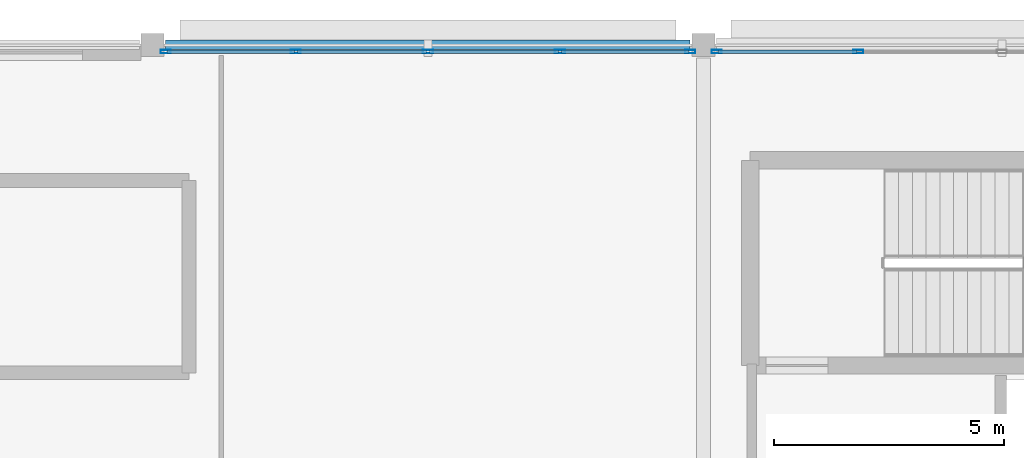
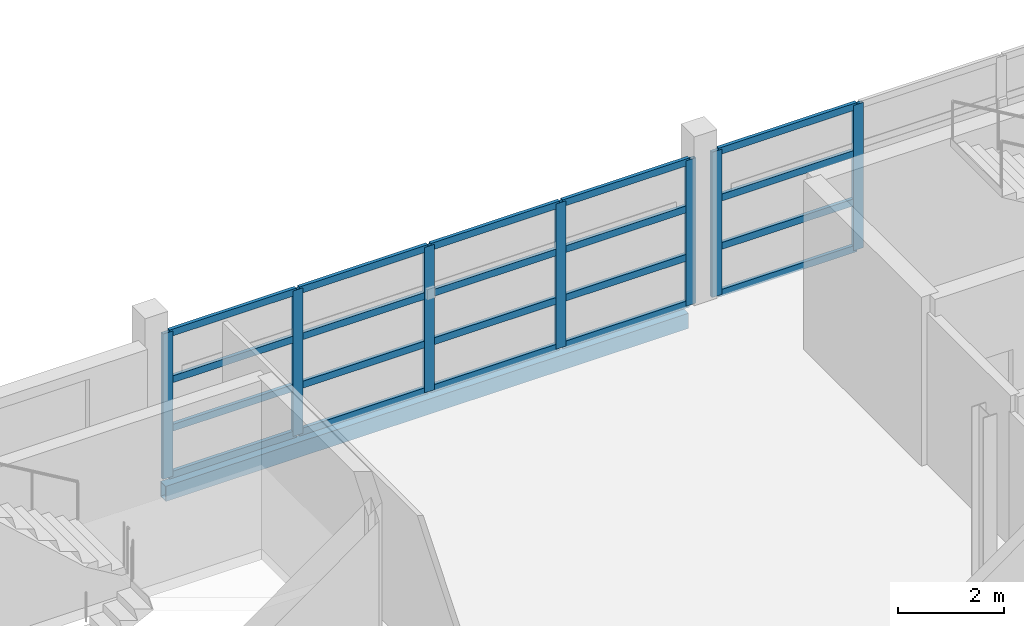
# One storey, part 53 of 110: 27 members, 1 beam, 2 elements without a shape of their own.
"""IFC4 building model written with IfcOpenShell, lengths in metres."""

from ifc_helpers import new_model, si_unit, direction, frame, origin, origin_2d, place, context, subcontext, project, spatial, hollow_rectangle, extrude, material, layer, layer_set, material_profile, profile_set, type_object, element, aggregate, save


model = new_model("IFC4")

# Units and contexts
model_context = context("Model", 3, precision=1e-05, world=origin(), true_north=direction((0.0, 1.0)))
body_context = subcontext(model_context, "Body", "Model", "MODEL_VIEW")
ifc_project = project(units=[si_unit("LENGTHUNIT", "METRE"), si_unit("AREAUNIT", "SQUARE_METRE"), si_unit("VOLUMEUNIT", "CUBIC_METRE"), si_unit("PLANEANGLEUNIT", "RADIAN"), si_unit("MASSUNIT", "GRAM", prefix="KILO")], contexts=[model_context])

# Site, building, storey
site_placement = place(None, origin())
site = spatial("IfcSite", under=ifc_project, at=site_placement, CompositionType="ELEMENT")
building_placement = place(site_placement, origin())
building = spatial("IfcBuilding", under=site, at=building_placement, Name="Tamarisk Ironworks Central Station", CompositionType="ELEMENT")
storey_placement = place(building_placement, frame((0.0, 0.0, 17.39990234375)))
storey = spatial("IfcBuildingStorey", under=building, at=storey_placement, Name="L03", CompositionType="ELEMENT", Elevation=17.39990234375)

# Beam
ifc_material_1 = material(Name="Structural steel S355J2", Category="steel")
ifc_material_profile_1 = material_profile(ifc_material_1, hollow_rectangle(XDim=0.199951171875, YDim=0.35009765625, WallThickness=0.012451171875, at=origin_2d()), Name="RHS 350x200x12.5")
ifc_profile_set_1 = profile_set([ifc_material_profile_1], Name="Structural steel S355J2")
beam_type = type_object("IfcBeamType", Name="BM-SP01", PredefinedType="SPANDREL", material=ifc_profile_set_1)
beam_placement = place(storey_placement, frame((128.2880859375, 122.39990234375, -0.4248046875), z_axis=(1.0, 0.0, 0.0), x_axis=(0.0, 1.0, 0.0)))
element("IfcBeam", 1, at=beam_placement, inside=storey, type_object=beam_type, Name="L03 primary girder X-0663", PredefinedType="SPANDREL", context=body_context, shape_type="SweptSolid", body=[
    extrude(hollow_rectangle(XDim=0.199951171875, YDim=0.35009765625, WallThickness=0.012451171875, at=origin_2d()), origin(), (0.0, 0.0, 1.0), 11.423828125),
])

# Curtain wall, members
ifc_material_2 = material(Name="Anodized aluminium alloy 6063-T6", Category="aluminium")
ifc_layer = layer(ifc_material_2, 0.179931640625)
ifc_layer_set = layer_set([ifc_layer], Name="Anodized aluminium alloy 6063-T6")
curtain_wall_type = type_object("IfcCurtainWallType", Name="CW-18", PredefinedType="USERDEFINED", material=ifc_layer_set)
curtain_wall_1_placement = place(storey_placement, origin())
curtain_wall_1 = element("IfcCurtainWall", 2, at=curtain_wall_1_placement, inside=storey, type_object=curtain_wall_type, Name="Operations L03 north facade curtain wall 128", ObjectType="GLAZED CURTAIN WALL", PredefinedType="USERDEFINED")
ifc_material_profile_2 = material_profile(ifc_material_2, hollow_rectangle(XDim=0.074951171875, YDim=0.219970703125, WallThickness=0.00390625, at=origin_2d()), Name="ALUM 220x75")
ifc_profile_set_2 = profile_set([ifc_material_profile_2], Name="Anodized aluminium alloy 6063-T6")
member_type_1 = type_object("IfcMemberType", Name="CWM-01", PredefinedType="MULLION", material=ifc_profile_set_2)
member_1_placement = place(storey_placement, frame((128.285400390625, 122.25, 0.0), z_axis=(0.0, 0.0, 1.0), x_axis=(0.0, 1.0, 0.0)))
member_1 = element("IfcMember", 3, at=member_1_placement, type_object=member_type_1, Name="CW18 mullion 1", PredefinedType="MULLION", context=body_context, shape_type="SweptSolid", body=[
    extrude(hollow_rectangle(XDim=0.074951171875, YDim=0.219970703125, WallThickness=0.00390625, at=origin_2d()), origin(), (0.0, 0.0, 1.0), 3.360107421875),
])
member_2_placement = place(storey_placement, frame((131.1240234375, 122.25, 0.0), z_axis=(0.0, 0.0, 1.0), x_axis=(0.0, 1.0, 0.0)))
member_2 = element("IfcMember", 4, at=member_2_placement, type_object=member_type_1, Name="CW18 mullion 2", PredefinedType="MULLION", context=body_context, shape_type="SweptSolid", body=[
    extrude(hollow_rectangle(XDim=0.074951171875, YDim=0.219970703125, WallThickness=0.00390625, at=origin_2d()), origin(), (0.0, 0.0, 1.0), 3.360107421875),
])
member_3_placement = place(storey_placement, frame((134.0, 122.25, 0.0), z_axis=(0.0, 0.0, 1.0), x_axis=(0.0, 1.0, 0.0)))
member_3 = element("IfcMember", 5, at=member_3_placement, type_object=member_type_1, Name="CW18 mullion 3", PredefinedType="MULLION", context=body_context, shape_type="SweptSolid", body=[
    extrude(hollow_rectangle(XDim=0.074951171875, YDim=0.219970703125, WallThickness=0.00390625, at=origin_2d()), origin(), (0.0, 0.0, 1.0), 3.360107421875),
])
member_4_placement = place(storey_placement, frame((136.8759765625, 122.25, 0.0), z_axis=(0.0, 0.0, 1.0), x_axis=(0.0, 1.0, 0.0)))
member_4 = element("IfcMember", 6, at=member_4_placement, type_object=member_type_1, Name="CW18 mullion 4", PredefinedType="MULLION", context=body_context, shape_type="SweptSolid", body=[
    extrude(hollow_rectangle(XDim=0.074951171875, YDim=0.219970703125, WallThickness=0.00390625, at=origin_2d()), origin(), (0.0, 0.0, 1.0), 3.360107421875),
])
member_5_placement = place(storey_placement, frame((139.714599609375, 122.25, 0.0), z_axis=(0.0, 0.0, 1.0), x_axis=(0.0, 1.0, 0.0)))
member_5 = element("IfcMember", 7, at=member_5_placement, type_object=member_type_1, Name="CW18 mullion 5", PredefinedType="MULLION", context=body_context, shape_type="SweptSolid", body=[
    extrude(hollow_rectangle(XDim=0.074951171875, YDim=0.219970703125, WallThickness=0.00390625, at=origin_2d()), origin(), (0.0, 0.0, 1.0), 3.360107421875),
])

curtain_wall_2_placement = place(storey_placement, origin())
curtain_wall_2 = element("IfcCurtainWall", 8, at=curtain_wall_2_placement, inside=storey, type_object=curtain_wall_type, Name="Operations L03 north facade curtain wall 140", ObjectType="GLAZED CURTAIN WALL", PredefinedType="USERDEFINED")
member_6_placement = place(storey_placement, frame((140.285400390625, 122.25, 0.0), z_axis=(0.0, 0.0, 1.0), x_axis=(0.0, 1.0, 0.0)))
member_6 = element("IfcMember", 9, at=member_6_placement, type_object=member_type_1, Name="CW18 mullion 1", PredefinedType="MULLION", context=body_context, shape_type="SweptSolid", body=[
    extrude(hollow_rectangle(XDim=0.074951171875, YDim=0.219970703125, WallThickness=0.00390625, at=origin_2d()), origin(), (0.0, 0.0, 1.0), 3.360107421875),
])
member_7_placement = place(storey_placement, frame((143.3740234375, 122.25, 0.0), z_axis=(0.0, 0.0, 1.0), x_axis=(0.0, 1.0, 0.0)))
member_7 = element("IfcMember", 10, at=member_7_placement, type_object=member_type_1, Name="CW18 mullion 2", PredefinedType="MULLION", context=body_context, shape_type="SweptSolid", body=[
    extrude(hollow_rectangle(XDim=0.074951171875, YDim=0.219970703125, WallThickness=0.00390625, at=origin_2d()), origin(), (0.0, 0.0, 1.0), 3.360107421875),
])

# Member
ifc_material_profile_3 = material_profile(ifc_material_2, hollow_rectangle(XDim=0.074951171875, YDim=0.159912109375, WallThickness=0.00390625, at=origin_2d()), Name="ALUM 160x75")
ifc_profile_set_3 = profile_set([ifc_material_profile_3], Name="Anodized aluminium alloy 6063-T6")
member_type_2 = type_object("IfcMemberType", Name="CWT-01", PredefinedType="USERDEFINED", material=ifc_profile_set_3)
member_8_placement = place(storey_placement, frame((128.319091796875, 122.25, 0.03759765625), z_axis=(1.0, 0.0, 0.0), x_axis=(0.0, 1.0, 0.0)))
member_8 = element("IfcMember", 11, at=member_8_placement, type_object=member_type_2, Name="CW18 transom 1.1", ObjectType="TRANSOM", PredefinedType="USERDEFINED", context=body_context, shape_type="SweptSolid", body=[
    extrude(hollow_rectangle(XDim=0.074951171875, YDim=0.159912109375, WallThickness=0.00390625, at=origin_2d()), origin(), (0.0, 0.0, 1.0), 2.771484375),
])

member_9_placement = place(storey_placement, frame((128.319091796875, 122.25, 1.1201171875), z_axis=(1.0, 0.0, 0.0), x_axis=(0.0, 1.0, 0.0)))
member_9 = element("IfcMember", 12, at=member_9_placement, type_object=member_type_2, Name="CW18 transom 1.2", ObjectType="TRANSOM", PredefinedType="USERDEFINED", context=body_context, shape_type="SweptSolid", body=[
    extrude(hollow_rectangle(XDim=0.074951171875, YDim=0.159912109375, WallThickness=0.00390625, at=origin_2d()), origin(), (0.0, 0.0, 1.0), 2.771484375),
])

member_10_placement = place(storey_placement, frame((128.319091796875, 122.25, 2.239990234375), z_axis=(1.0, 0.0, 0.0), x_axis=(0.0, 1.0, 0.0)))
member_10 = element("IfcMember", 13, at=member_10_placement, type_object=member_type_2, Name="CW18 transom 1.3", ObjectType="TRANSOM", PredefinedType="USERDEFINED", context=body_context, shape_type="SweptSolid", body=[
    extrude(hollow_rectangle(XDim=0.074951171875, YDim=0.159912109375, WallThickness=0.00390625, at=origin_2d()), origin(), (0.0, 0.0, 1.0), 2.771484375),
])

member_11_placement = place(storey_placement, frame((128.319091796875, 122.25, 3.322509765625), z_axis=(1.0, 0.0, 0.0), x_axis=(0.0, 1.0, 0.0)))
member_11 = element("IfcMember", 14, at=member_11_placement, type_object=member_type_2, Name="CW18 transom 1.4", ObjectType="TRANSOM", PredefinedType="USERDEFINED", context=body_context, shape_type="SweptSolid", body=[
    extrude(hollow_rectangle(XDim=0.074951171875, YDim=0.159912109375, WallThickness=0.00390625, at=origin_2d()), origin(), (0.0, 0.0, 1.0), 2.771484375),
])

member_12_placement = place(storey_placement, frame((131.157470703125, 122.25, 0.03759765625), z_axis=(1.0, 0.0, 0.0), x_axis=(0.0, 1.0, 0.0)))
member_12 = element("IfcMember", 15, at=member_12_placement, type_object=member_type_2, Name="CW18 transom 2.1", ObjectType="TRANSOM", PredefinedType="USERDEFINED", context=body_context, shape_type="SweptSolid", body=[
    extrude(hollow_rectangle(XDim=0.074951171875, YDim=0.159912109375, WallThickness=0.00390625, at=origin_2d()), origin(), (0.0, 0.0, 1.0), 2.80908203125),
])

member_13_placement = place(storey_placement, frame((131.157470703125, 122.25, 1.1201171875), z_axis=(1.0, 0.0, 0.0), x_axis=(0.0, 1.0, 0.0)))
member_13 = element("IfcMember", 16, at=member_13_placement, type_object=member_type_2, Name="CW18 transom 2.2", ObjectType="TRANSOM", PredefinedType="USERDEFINED", context=body_context, shape_type="SweptSolid", body=[
    extrude(hollow_rectangle(XDim=0.074951171875, YDim=0.159912109375, WallThickness=0.00390625, at=origin_2d()), origin(), (0.0, 0.0, 1.0), 2.80908203125),
])

member_14_placement = place(storey_placement, frame((131.157470703125, 122.25, 2.239990234375), z_axis=(1.0, 0.0, 0.0), x_axis=(0.0, 1.0, 0.0)))
member_14 = element("IfcMember", 17, at=member_14_placement, type_object=member_type_2, Name="CW18 transom 2.3", ObjectType="TRANSOM", PredefinedType="USERDEFINED", context=body_context, shape_type="SweptSolid", body=[
    extrude(hollow_rectangle(XDim=0.074951171875, YDim=0.159912109375, WallThickness=0.00390625, at=origin_2d()), origin(), (0.0, 0.0, 1.0), 2.80908203125),
])

member_15_placement = place(storey_placement, frame((131.157470703125, 122.25, 3.322509765625), z_axis=(1.0, 0.0, 0.0), x_axis=(0.0, 1.0, 0.0)))
member_15 = element("IfcMember", 18, at=member_15_placement, type_object=member_type_2, Name="CW18 transom 2.4", ObjectType="TRANSOM", PredefinedType="USERDEFINED", context=body_context, shape_type="SweptSolid", body=[
    extrude(hollow_rectangle(XDim=0.074951171875, YDim=0.159912109375, WallThickness=0.00390625, at=origin_2d()), origin(), (0.0, 0.0, 1.0), 2.80908203125),
])

member_16_placement = place(storey_placement, frame((134.033447265625, 122.25, 0.03759765625), z_axis=(1.0, 0.0, 0.0), x_axis=(0.0, 1.0, 0.0)))
member_16 = element("IfcMember", 19, at=member_16_placement, type_object=member_type_2, Name="CW18 transom 3.1", ObjectType="TRANSOM", PredefinedType="USERDEFINED", context=body_context, shape_type="SweptSolid", body=[
    extrude(hollow_rectangle(XDim=0.074951171875, YDim=0.159912109375, WallThickness=0.00390625, at=origin_2d()), origin(), (0.0, 0.0, 1.0), 2.80908203125),
])

member_17_placement = place(storey_placement, frame((134.033447265625, 122.25, 1.1201171875), z_axis=(1.0, 0.0, 0.0), x_axis=(0.0, 1.0, 0.0)))
member_17 = element("IfcMember", 20, at=member_17_placement, type_object=member_type_2, Name="CW18 transom 3.2", ObjectType="TRANSOM", PredefinedType="USERDEFINED", context=body_context, shape_type="SweptSolid", body=[
    extrude(hollow_rectangle(XDim=0.074951171875, YDim=0.159912109375, WallThickness=0.00390625, at=origin_2d()), origin(), (0.0, 0.0, 1.0), 2.80908203125),
])

member_18_placement = place(storey_placement, frame((134.033447265625, 122.25, 2.239990234375), z_axis=(1.0, 0.0, 0.0), x_axis=(0.0, 1.0, 0.0)))
member_18 = element("IfcMember", 21, at=member_18_placement, type_object=member_type_2, Name="CW18 transom 3.3", ObjectType="TRANSOM", PredefinedType="USERDEFINED", context=body_context, shape_type="SweptSolid", body=[
    extrude(hollow_rectangle(XDim=0.074951171875, YDim=0.159912109375, WallThickness=0.00390625, at=origin_2d()), origin(), (0.0, 0.0, 1.0), 2.80908203125),
])

member_19_placement = place(storey_placement, frame((134.033447265625, 122.25, 3.322509765625), z_axis=(1.0, 0.0, 0.0), x_axis=(0.0, 1.0, 0.0)))
member_19 = element("IfcMember", 22, at=member_19_placement, type_object=member_type_2, Name="CW18 transom 3.4", ObjectType="TRANSOM", PredefinedType="USERDEFINED", context=body_context, shape_type="SweptSolid", body=[
    extrude(hollow_rectangle(XDim=0.074951171875, YDim=0.159912109375, WallThickness=0.00390625, at=origin_2d()), origin(), (0.0, 0.0, 1.0), 2.80908203125),
])

member_20_placement = place(storey_placement, frame((136.909423828125, 122.25, 0.03759765625), z_axis=(1.0, 0.0, 0.0), x_axis=(0.0, 1.0, 0.0)))
member_20 = element("IfcMember", 23, at=member_20_placement, type_object=member_type_2, Name="CW18 transom 4.1", ObjectType="TRANSOM", PredefinedType="USERDEFINED", context=body_context, shape_type="SweptSolid", body=[
    extrude(hollow_rectangle(XDim=0.074951171875, YDim=0.159912109375, WallThickness=0.00390625, at=origin_2d()), origin(), (0.0, 0.0, 1.0), 2.771484375),
])

member_21_placement = place(storey_placement, frame((136.909423828125, 122.25, 1.1201171875), z_axis=(1.0, 0.0, 0.0), x_axis=(0.0, 1.0, 0.0)))
member_21 = element("IfcMember", 24, at=member_21_placement, type_object=member_type_2, Name="CW18 transom 4.2", ObjectType="TRANSOM", PredefinedType="USERDEFINED", context=body_context, shape_type="SweptSolid", body=[
    extrude(hollow_rectangle(XDim=0.074951171875, YDim=0.159912109375, WallThickness=0.00390625, at=origin_2d()), origin(), (0.0, 0.0, 1.0), 2.771484375),
])

member_22_placement = place(storey_placement, frame((136.909423828125, 122.25, 2.239990234375), z_axis=(1.0, 0.0, 0.0), x_axis=(0.0, 1.0, 0.0)))
member_22 = element("IfcMember", 25, at=member_22_placement, type_object=member_type_2, Name="CW18 transom 4.3", ObjectType="TRANSOM", PredefinedType="USERDEFINED", context=body_context, shape_type="SweptSolid", body=[
    extrude(hollow_rectangle(XDim=0.074951171875, YDim=0.159912109375, WallThickness=0.00390625, at=origin_2d()), origin(), (0.0, 0.0, 1.0), 2.771484375),
])

member_23_placement = place(storey_placement, frame((136.909423828125, 122.25, 3.322509765625), z_axis=(1.0, 0.0, 0.0), x_axis=(0.0, 1.0, 0.0)))
member_23 = element("IfcMember", 26, at=member_23_placement, type_object=member_type_2, Name="CW18 transom 4.4", ObjectType="TRANSOM", PredefinedType="USERDEFINED", context=body_context, shape_type="SweptSolid", body=[
    extrude(hollow_rectangle(XDim=0.074951171875, YDim=0.159912109375, WallThickness=0.00390625, at=origin_2d()), origin(), (0.0, 0.0, 1.0), 2.771484375),
])

aggregate(curtain_wall_1, [member_1, member_2, member_3, member_4, member_5, member_8, member_9, member_10, member_11, member_12, member_13, member_14, member_15, member_16, member_17, member_18, member_19, member_20, member_21, member_22, member_23])

member_24_placement = place(storey_placement, frame((140.319091796875, 122.25, 0.03759765625), z_axis=(1.0, 0.0, 0.0), x_axis=(0.0, 1.0, 0.0)))
member_24 = element("IfcMember", 27, at=member_24_placement, type_object=member_type_2, Name="CW18 transom 1.1", ObjectType="TRANSOM", PredefinedType="USERDEFINED", context=body_context, shape_type="SweptSolid", body=[
    extrude(hollow_rectangle(XDim=0.074951171875, YDim=0.159912109375, WallThickness=0.00390625, at=origin_2d()), origin(), (0.0, 0.0, 1.0), 3.021484375),
])

member_25_placement = place(storey_placement, frame((140.319091796875, 122.25, 1.1201171875), z_axis=(1.0, 0.0, 0.0), x_axis=(0.0, 1.0, 0.0)))
member_25 = element("IfcMember", 28, at=member_25_placement, type_object=member_type_2, Name="CW18 transom 1.2", ObjectType="TRANSOM", PredefinedType="USERDEFINED", context=body_context, shape_type="SweptSolid", body=[
    extrude(hollow_rectangle(XDim=0.074951171875, YDim=0.159912109375, WallThickness=0.00390625, at=origin_2d()), origin(), (0.0, 0.0, 1.0), 3.021484375),
])

member_26_placement = place(storey_placement, frame((140.319091796875, 122.25, 2.239990234375), z_axis=(1.0, 0.0, 0.0), x_axis=(0.0, 1.0, 0.0)))
member_26 = element("IfcMember", 29, at=member_26_placement, type_object=member_type_2, Name="CW18 transom 1.3", ObjectType="TRANSOM", PredefinedType="USERDEFINED", context=body_context, shape_type="SweptSolid", body=[
    extrude(hollow_rectangle(XDim=0.074951171875, YDim=0.159912109375, WallThickness=0.00390625, at=origin_2d()), origin(), (0.0, 0.0, 1.0), 3.021484375),
])

member_27_placement = place(storey_placement, frame((140.319091796875, 122.25, 3.322509765625), z_axis=(1.0, 0.0, 0.0), x_axis=(0.0, 1.0, 0.0)))
member_27 = element("IfcMember", 30, at=member_27_placement, type_object=member_type_2, Name="CW18 transom 1.4", ObjectType="TRANSOM", PredefinedType="USERDEFINED", context=body_context, shape_type="SweptSolid", body=[
    extrude(hollow_rectangle(XDim=0.074951171875, YDim=0.159912109375, WallThickness=0.00390625, at=origin_2d()), origin(), (0.0, 0.0, 1.0), 3.021484375),
])

aggregate(curtain_wall_2, [member_6, member_7, member_24, member_25, member_26, member_27])

save(model, "model.ifc")
